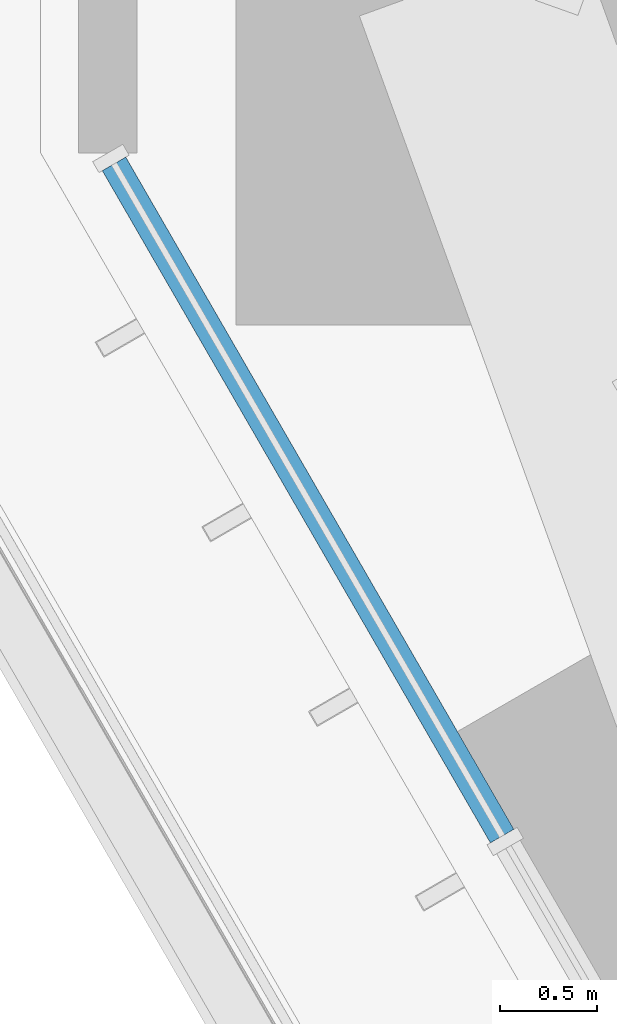
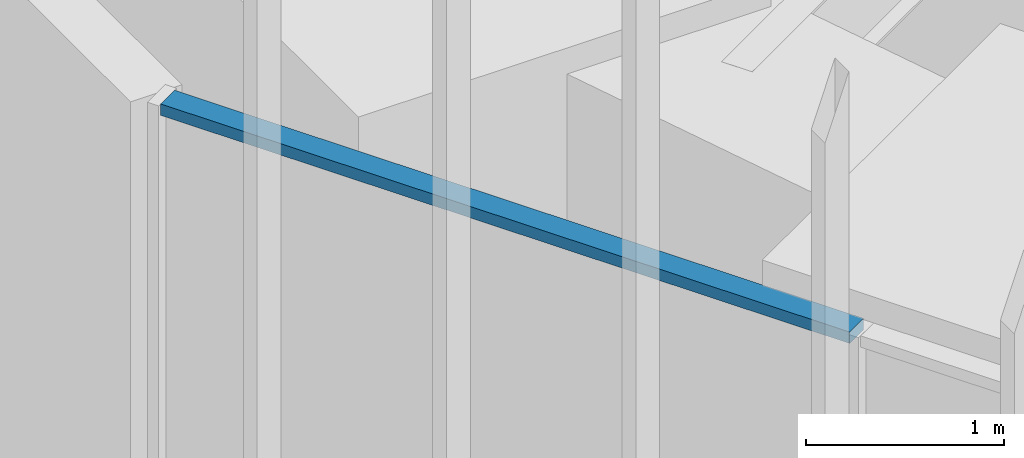
# One storey, part 121 of 238: 1 member, 1 element without a shape of its own.
"""IFC4 building model written with IfcOpenShell, lengths in metres."""

from ifc_helpers import new_model, si_unit, direction, frame, origin, origin_2d, place, context, subcontext, project, spatial, rectangle, extrude, material, material_profile, profile_set, type_object, element, aggregate, save


model = new_model("IFC4")

# Units and contexts
model_context = context("Model", 3, precision=1e-05, world=origin(), true_north=direction((0.0, 1.0)))
body_context = subcontext(model_context, "Body", "Model", "MODEL_VIEW")
ifc_project = project(units=[si_unit("LENGTHUNIT", "METRE"), si_unit("AREAUNIT", "SQUARE_METRE"), si_unit("VOLUMEUNIT", "CUBIC_METRE"), si_unit("PLANEANGLEUNIT", "RADIAN"), si_unit("MASSUNIT", "GRAM", prefix="KILO")], contexts=[model_context])

# Site, building, storey
site_placement = place(None, origin())
site = spatial("IfcSite", under=ifc_project, at=site_placement, CompositionType="ELEMENT")
building_placement = place(site_placement, origin())
building = spatial("IfcBuilding", under=site, at=building_placement, Name="Sandreach Pilgrim Tower", CompositionType="ELEMENT")
storey_placement = place(building_placement, frame((0.0, 0.0, 96.800048828125)))
storey = spatial("IfcBuildingStorey", under=building, at=storey_placement, Name="L23", CompositionType="ELEMENT", Elevation=96.800048828125)

# Curtain wall, member
ifc_material_1 = material(Name="Aluminium framed curtain wall", Category="aluminium")
curtain_wall_type = type_object("IfcCurtainWallType", Name="Hotel tower curtain wall", PredefinedType="NOTDEFINED", material=ifc_material_1)
curtain_wall_placement = place(storey_placement, origin())
curtain_wall = element("IfcCurtainWall", 1, at=curtain_wall_placement, inside=storey, type_object=curtain_wall_type, Name="CW-2 L23 SW", PredefinedType="NOTDEFINED")
ifc_material_2 = material(Name="Aluminium extrusion", Category="aluminium")
ifc_material_profile = material_profile(ifc_material_2, rectangle(XDim=0.139892578125, YDim=0.070068359375, at=origin_2d()), Name="CW-2T 140X70")
ifc_profile_set = profile_set([ifc_material_profile], Name="Aluminium extrusion")
member_type = type_object("IfcMemberType", Name="CW-2 transom", PredefinedType="USERDEFINED", material=ifc_profile_set)
member_placement = place(storey_placement, frame((-26.68359375, 1.229736328125, 3.60498046875), z_axis=(-0.500015851672, 0.866016251624, 0.0), x_axis=(-0.866016251624, -0.500015851672, 0.0)))
member = element("IfcMember", 2, at=member_placement, type_object=member_type, Name="CW-2 head transom 9", ObjectType="TRANSOM", PredefinedType="USERDEFINED", context=body_context, shape_type="SweptSolid", body=[
    extrude(rectangle(XDim=0.139892578125, YDim=0.070068359375, at=origin_2d()), origin(), (0.0, 0.0, 1.0), 4.009521484375),
])
aggregate(curtain_wall, [member])

save(model, "model.ifc")
